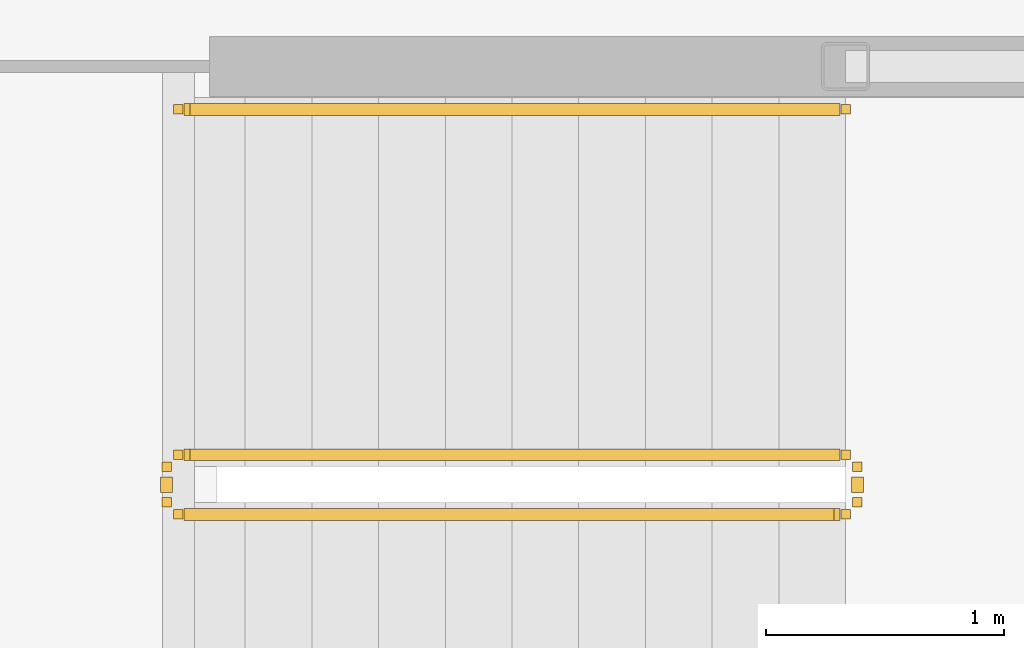
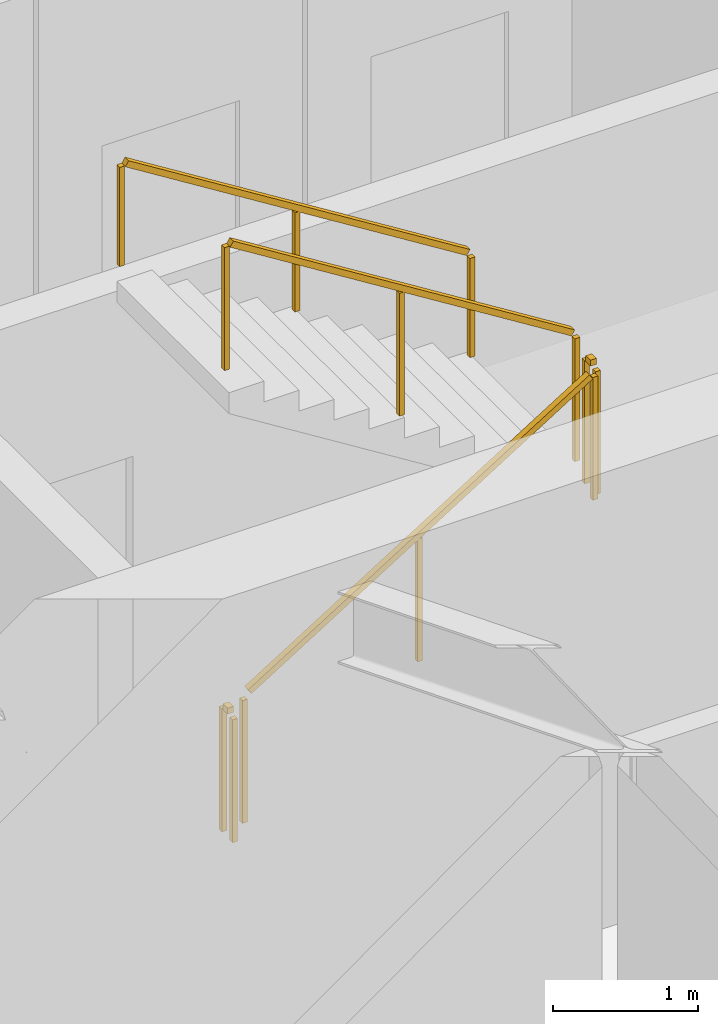
# One storey, part 28 of 31: 5 railings.
"""IFC4 building model written with IfcOpenShell, lengths in metres."""

from ifc_helpers import new_model, si_unit, direction, frame, origin, origin_2d, place, context, subcontext, project, spatial, rectangle, extrude, material, type_object, element, save


model = new_model("IFC4")

# Units and contexts
model_context = context("Model", 3, precision=1e-05, world=origin(), true_north=direction((0.0, 1.0)))
body_context = subcontext(model_context, "Body", "Model", "MODEL_VIEW")
ifc_project = project(units=[si_unit("LENGTHUNIT", "METRE"), si_unit("AREAUNIT", "SQUARE_METRE"), si_unit("VOLUMEUNIT", "CUBIC_METRE"), si_unit("PLANEANGLEUNIT", "RADIAN"), si_unit("MASSUNIT", "GRAM", prefix="KILO")], contexts=[model_context])

# Site, building, storey
site_placement = place(None, origin())
site = spatial("IfcSite", under=ifc_project, at=site_placement, CompositionType="ELEMENT")
building_placement = place(site_placement, origin())
building = spatial("IfcBuilding", under=site, at=building_placement, Name="Kazma Halo Residences", CompositionType="ELEMENT")
storey_placement = place(building_placement, frame((0.0, 0.0, 259.800048828125)))
storey = spatial("IfcBuildingStorey", under=building, at=storey_placement, Name="L65", CompositionType="ELEMENT", Elevation=259.800048828125)

# Railings
ifc_material_1 = material(Name="Painted Steel S355", Category="steel")
railing_type_1 = type_object("IfcRailingType", Name="RLG-STAIR-GRD-1100", PredefinedType="GUARDRAIL", material=ifc_material_1)
railing_1_placement = place(storey_placement, frame((53.199951171875, 35.5, 0.175048828125)))
element("IfcRailing", 1, at=railing_1_placement, inside=storey, type_object=railing_type_1, Name="L65 ST-03 stair guard 1", PredefinedType="GUARDRAIL", context=body_context, shape_type="SweptSolid", body=[
    extrude(rectangle(XDim=0.050048828125, YDim=0.050048828125, at=origin_2d()), frame((0.0361328125, 0.0, 1.09765625), z_axis=(0.848002457836, 0.0, 0.529992293815), x_axis=(0.0, 1.0, 0.0)), (0.0, 0.0, 1.0), 3.216796875),
    extrude(rectangle(XDim=0.0400390625, YDim=0.0400390625, at=origin_2d()), origin(), (0.0, 0.0, 1.0), 1.0380859375),
    extrude(rectangle(XDim=0.0400390625, YDim=0.0400390625, at=origin_2d()), frame((1.39990234375, 0.0, 0.875)), (0.0, 0.0, 1.0), 1.0380859375),
    extrude(rectangle(XDim=0.0400390625, YDim=0.0400390625, at=origin_2d()), frame((2.800048828125, 0.0, 1.75)), (0.0, 0.0, 1.0), 1.0380859375),
])
railing_2_placement = place(storey_placement, frame((56.050048828125, 35.550048828125, 1.925048828125)))
element("IfcRailing", 2, at=railing_2_placement, inside=storey, type_object=railing_type_1, Name="L65 ST-03 stair guard 2", PredefinedType="GUARDRAIL", context=body_context, shape_type="SweptSolid", body=[
    extrude(rectangle(XDim=0.050048828125, YDim=0.050048828125, at=origin_2d()), frame((0.0, 0.04248046875, 1.0751953125), z_axis=(0.0, 1.0, 0.0), x_axis=(-1.0, 0.0, 0.0)), (0.0, 0.0, 1.0), 0.06494140625),
    extrude(rectangle(XDim=0.0400390625, YDim=0.0400390625, at=origin_2d()), origin(), (0.0, 0.0, 1.0), 1.0380859375),
    extrude(rectangle(XDim=0.0400390625, YDim=0.0400390625, at=origin_2d()), frame((0.0, 0.14990234375, 0.0)), (0.0, 0.0, 1.0), 1.0380859375),
])
railing_3_placement = place(storey_placement, frame((56.0, 35.75, 2.099853515625)))
element("IfcRailing", 3, at=railing_3_placement, inside=storey, type_object=railing_type_1, Name="L65 ST-03 stair guard 3", PredefinedType="GUARDRAIL", context=body_context, shape_type="SweptSolid", body=[
    extrude(rectangle(XDim=0.050048828125, YDim=0.050048828125, at=origin_2d()), frame((-0.0361328125, 0.0, 1.09765625), z_axis=(-0.848002457836, 0.0, 0.529992293815), x_axis=(0.0, -1.0, 0.0)), (0.0, 0.0, 1.0), 3.216796875),
    extrude(rectangle(XDim=0.0400390625, YDim=0.0400390625, at=origin_2d()), origin(), (0.0, 0.0, 1.0), 1.0380859375),
    extrude(rectangle(XDim=0.0400390625, YDim=0.0400390625, at=origin_2d()), frame((-1.39990234375, 0.0, 0.875)), (0.0, 0.0, 1.0), 1.0380859375),
    extrude(rectangle(XDim=0.0400390625, YDim=0.0400390625, at=origin_2d()), frame((-2.800048828125, 0.0, 1.75)), (0.0, 0.0, 1.0), 1.0380859375),
])
railing_4_placement = place(storey_placement, frame((53.14990234375, 35.550048828125, 0.0)))
element("IfcRailing", 4, at=railing_4_placement, inside=storey, type_object=railing_type_1, Name="L65 ST-03 stair guard 4", PredefinedType="GUARDRAIL", context=body_context, shape_type="SweptSolid", body=[
    extrude(rectangle(XDim=0.050048828125, YDim=0.050048828125, at=origin_2d()), frame((0.0, 0.04248046875, 1.0751953125), z_axis=(0.0, 1.0, 0.0), x_axis=(-1.0, 0.0, 0.0)), (0.0, 0.0, 1.0), 0.06494140625),
    extrude(rectangle(XDim=0.0400390625, YDim=0.0400390625, at=origin_2d()), origin(), (0.0, 0.0, 1.0), 1.0380859375),
    extrude(rectangle(XDim=0.0400390625, YDim=0.0400390625, at=origin_2d()), frame((0.0, 0.14990234375, 0.0)), (0.0, 0.0, 1.0), 1.0380859375),
])
ifc_material_2 = material(Name="Brushed Stainless Steel", Category="steel")
railing_type_2 = type_object("IfcRailingType", Name="RLG-STAIR-HND-900", PredefinedType="HANDRAIL", material=ifc_material_2)
railing_5_placement = place(storey_placement, frame((56.0, 37.199951171875, 2.099853515625)))
element("IfcRailing", 5, at=railing_5_placement, inside=storey, type_object=railing_type_2, Name="L65 ST-03 stair handrail 2", PredefinedType="HANDRAIL", context=body_context, shape_type="SweptSolid", body=[
    extrude(rectangle(XDim=0.050048828125, YDim=0.050048828125, at=origin_2d()), frame((-0.0361328125, 0.0, 0.8974609375), z_axis=(-0.848002457836, 0.0, 0.529992293815), x_axis=(0.0, -1.0, 0.0)), (0.0, 0.0, 1.0), 3.216796875),
    extrude(rectangle(XDim=0.0400390625, YDim=0.0400390625, at=origin_2d()), origin(), (0.0, 0.0, 1.0), 0.837890625),
    extrude(rectangle(XDim=0.0400390625, YDim=0.0400390625, at=origin_2d()), frame((-1.39990234375, 0.0, 0.875)), (0.0, 0.0, 1.0), 0.837890625),
    extrude(rectangle(XDim=0.0400390625, YDim=0.0400390625, at=origin_2d()), frame((-2.800048828125, 0.0, 1.75)), (0.0, 0.0, 1.0), 0.837890625),
])

save(model, "model.ifc")
